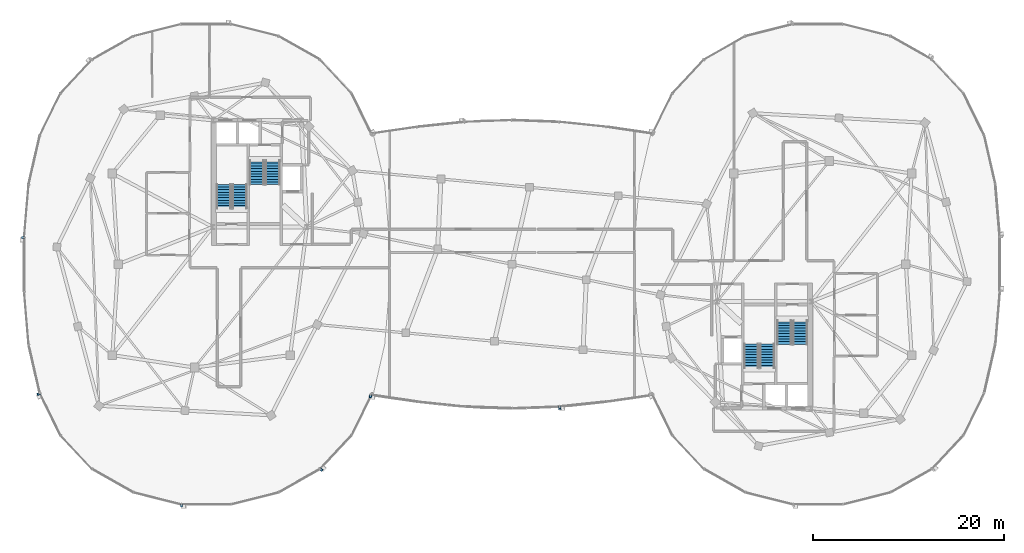
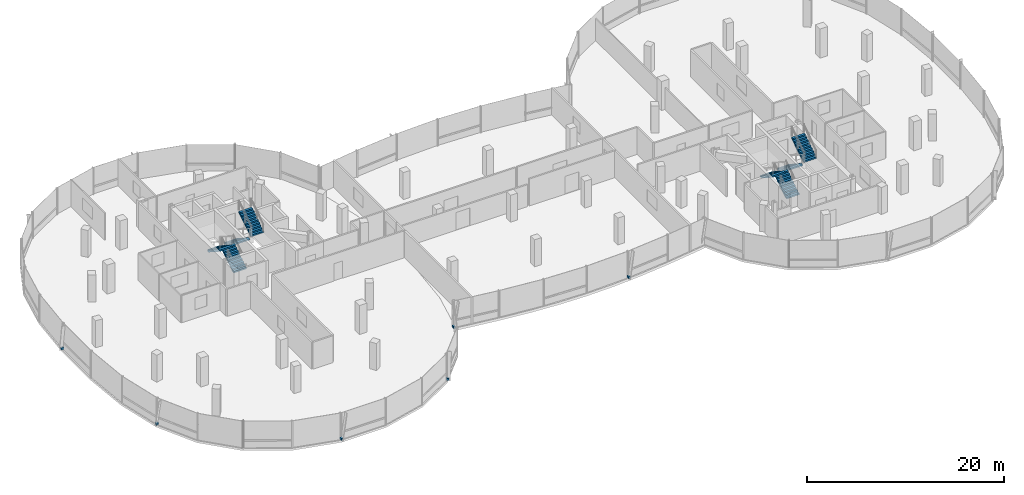
# One storey, part 17 of 25: 8 stair flights, 6 discrete accessories, 4 elements without a shape of their own.
"""IFC4 building model written with IfcOpenShell, lengths in metres."""

from ifc_helpers import new_model, si_unit, direction, frame, origin, origin_2d, place, context, subcontext, project, spatial, polyline, rectangle, outline, extrude, material, type_object, element, aggregate, save


model = new_model("IFC4")

# Units and contexts
model_context = context("Model", 3, precision=1e-05, world=origin(), true_north=direction((0.0, 1.0)))
body_context = subcontext(model_context, "Body", "Model", "MODEL_VIEW")
ifc_project = project(units=[si_unit("LENGTHUNIT", "METRE"), si_unit("AREAUNIT", "SQUARE_METRE"), si_unit("VOLUMEUNIT", "CUBIC_METRE"), si_unit("PLANEANGLEUNIT", "RADIAN"), si_unit("MASSUNIT", "GRAM", prefix="KILO"), si_unit("THERMODYNAMICTEMPERATUREUNIT", "KELVIN"), si_unit("POWERUNIT", "WATT")], contexts=[model_context])

# Site, building, storey
site_placement = place(None, origin())
site = spatial("IfcSite", under=ifc_project, at=site_placement, CompositionType="ELEMENT")
building_placement = place(site_placement, origin())
building = spatial("IfcBuilding", under=site, at=building_placement, Name="Cundina Bronze Exchange", CompositionType="ELEMENT")
storey_placement = place(building_placement, frame((0.0, 0.0, 272.0)))
storey = spatial("IfcBuildingStorey", under=building, at=storey_placement, Name="L72", CompositionType="ELEMENT", Elevation=272.0)

# Stair, stair flights
ifc_material_1 = material(Name="Concrete C40/50", Category="concrete")
stair_type = type_object("IfcStairType", Name="STR-OFF-360", PredefinedType="HALF_TURN_STAIR", material=ifc_material_1)
stair_1_placement = place(storey_placement, origin())
stair_1 = element("IfcStair", 1, at=stair_1_placement, inside=storey, type_object=stair_type, Name="L72 Smokeproof Exit Stair W1", PredefinedType="HALF_TURN_STAIR")
stair_flight_type = type_object("IfcStairFlightType", Name="FLG-OFF-180", PredefinedType="STRAIGHT", material=ifc_material_1)
stair_flight_1_placement = place(storey_placement, frame((-28.489990234375, 5.85009765625, 0.0), z_axis=(0.0, 0.0, 1.0), x_axis=(0.0, 1.0, 0.0)))
stair_flight_1 = element("IfcStairFlight", 2, at=stair_flight_1_placement, type_object=stair_flight_type, Name="ST-W1 flight 1", NumberOfRisers=10, NumberOfTreads=9, PredefinedType="STRAIGHT", RiserHeight=0.18, TreadLength=0.28, context=body_context, shape_type="SweptSolid", body=[
    extrude(outline(polyline([(0.0, 0.0), (0.0, 0.179931640625), (0.280029296875, 0.179931640625), (0.280029296875, 0.360107421875), (0.56005859375, 0.360107421875), (0.56005859375, 0.5400390625), (0.840087890625, 0.5400390625), (0.840087890625, 0.719970703125), (1.1201171875, 0.719970703125), (1.1201171875, 0.89990234375), (1.39990234375, 0.89990234375), (1.39990234375, 1.080078125), (1.679931640625, 1.080078125), (1.679931640625, 1.260009765625), (1.9599609375, 1.260009765625), (1.9599609375, 1.43994140625), (2.239990234375, 1.43994140625), (2.239990234375, 1.6201171875), (2.52001953125, 1.6201171875), (2.52001953125, 1.800048828125), (2.52001953125, 1.44189453125), (0.277099609375, 0.0), (0.0, 0.0)])), frame((0.0, 0.75, 0.0), z_axis=(0.0, -1.0, 0.0), x_axis=(1.0, 0.0, 0.0)), (0.0, 0.0, 1.0), 1.5),
])
stair_flight_2_placement = place(storey_placement, frame((-30.14990234375, 8.3701171875, 1.800048828125), z_axis=(0.0, 0.0, 1.0), x_axis=(0.0, -1.0, 0.0)))
stair_flight_2 = element("IfcStairFlight", 3, at=stair_flight_2_placement, type_object=stair_flight_type, Name="ST-W1 flight 2", NumberOfRisers=10, NumberOfTreads=9, PredefinedType="STRAIGHT", RiserHeight=0.18, TreadLength=0.28, context=body_context, shape_type="SweptSolid", body=[
    extrude(outline(polyline([(0.0, 0.0), (0.0, 0.179931640625), (0.280029296875, 0.179931640625), (0.280029296875, 0.360107421875), (0.56005859375, 0.360107421875), (0.56005859375, 0.5400390625), (0.840087890625, 0.5400390625), (0.840087890625, 0.719970703125), (1.1201171875, 0.719970703125), (1.1201171875, 0.89990234375), (1.39990234375, 0.89990234375), (1.39990234375, 1.080078125), (1.679931640625, 1.080078125), (1.679931640625, 1.260009765625), (1.9599609375, 1.260009765625), (1.9599609375, 1.43994140625), (2.239990234375, 1.43994140625), (2.239990234375, 1.6201171875), (2.52001953125, 1.6201171875), (2.52001953125, 1.800048828125), (2.52001953125, 1.44189453125), (0.277099609375, 0.0), (0.0, 0.0)])), frame((0.0, 0.75, 0.0), z_axis=(0.0, -1.0, 0.0), x_axis=(1.0, 0.0, 0.0)), (0.0, 0.0, 1.0), 1.5),
])
aggregate(stair_1, [stair_flight_1, stair_flight_2])

stair_2_placement = place(storey_placement, origin())
stair_2 = element("IfcStair", 4, at=stair_2_placement, inside=storey, type_object=stair_type, Name="L72 Smokeproof Exit Stair W2", PredefinedType="HALF_TURN_STAIR")
stair_flight_3_placement = place(storey_placement, frame((-26.68994140625, 10.85009765625, 0.0), z_axis=(0.0, 0.0, 1.0), x_axis=(0.0, -1.0, 0.0)))
stair_flight_3 = element("IfcStairFlight", 5, at=stair_flight_3_placement, type_object=stair_flight_type, Name="ST-W2 flight 1", NumberOfRisers=10, NumberOfTreads=9, PredefinedType="STRAIGHT", RiserHeight=0.18, TreadLength=0.28, context=body_context, shape_type="SweptSolid", body=[
    extrude(outline(polyline([(0.0, 0.0), (0.0, 0.179931640625), (0.280029296875, 0.179931640625), (0.280029296875, 0.360107421875), (0.56005859375, 0.360107421875), (0.56005859375, 0.5400390625), (0.840087890625, 0.5400390625), (0.840087890625, 0.719970703125), (1.1201171875, 0.719970703125), (1.1201171875, 0.89990234375), (1.39990234375, 0.89990234375), (1.39990234375, 1.080078125), (1.679931640625, 1.080078125), (1.679931640625, 1.260009765625), (1.9599609375, 1.260009765625), (1.9599609375, 1.43994140625), (2.239990234375, 1.43994140625), (2.239990234375, 1.6201171875), (2.52001953125, 1.6201171875), (2.52001953125, 1.800048828125), (2.52001953125, 1.44189453125), (0.277099609375, 0.0), (0.0, 0.0)])), frame((0.0, 0.75, 0.0), z_axis=(0.0, -1.0, 0.0), x_axis=(1.0, 0.0, 0.0)), (0.0, 0.0, 1.0), 1.5),
])
stair_flight_4_placement = place(storey_placement, frame((-25.030029296875, 8.330078125, 1.800048828125), z_axis=(0.0, 0.0, 1.0), x_axis=(0.0, 1.0, 0.0)))
stair_flight_4 = element("IfcStairFlight", 6, at=stair_flight_4_placement, type_object=stair_flight_type, Name="ST-W2 flight 2", NumberOfRisers=10, NumberOfTreads=9, PredefinedType="STRAIGHT", RiserHeight=0.18, TreadLength=0.28, context=body_context, shape_type="SweptSolid", body=[
    extrude(outline(polyline([(0.0, 0.0), (0.0, 0.179931640625), (0.280029296875, 0.179931640625), (0.280029296875, 0.360107421875), (0.56005859375, 0.360107421875), (0.56005859375, 0.5400390625), (0.840087890625, 0.5400390625), (0.840087890625, 0.719970703125), (1.1201171875, 0.719970703125), (1.1201171875, 0.89990234375), (1.39990234375, 0.89990234375), (1.39990234375, 1.080078125), (1.679931640625, 1.080078125), (1.679931640625, 1.260009765625), (1.9599609375, 1.260009765625), (1.9599609375, 1.43994140625), (2.239990234375, 1.43994140625), (2.239990234375, 1.6201171875), (2.52001953125, 1.6201171875), (2.52001953125, 1.800048828125), (2.52001953125, 1.44189453125), (0.277099609375, 0.0), (0.0, 0.0)])), frame((0.0, 0.75, 0.0), z_axis=(0.0, -1.0, 0.0), x_axis=(1.0, 0.0, 0.0)), (0.0, 0.0, 1.0), 1.5),
])
aggregate(stair_2, [stair_flight_3, stair_flight_4])

stair_3_placement = place(storey_placement, origin())
stair_3 = element("IfcStair", 7, at=stair_3_placement, inside=storey, type_object=stair_type, Name="L72 Smokeproof Exit Stair E1", PredefinedType="HALF_TURN_STAIR")
stair_flight_5_placement = place(storey_placement, frame((28.489990234375, -5.85009765625, 0.0), z_axis=(0.0, 0.0, 1.0), x_axis=(0.0, -1.0, 0.0)))
stair_flight_5 = element("IfcStairFlight", 8, at=stair_flight_5_placement, type_object=stair_flight_type, Name="ST-E1 flight 1", NumberOfRisers=10, NumberOfTreads=9, PredefinedType="STRAIGHT", RiserHeight=0.18, TreadLength=0.28, context=body_context, shape_type="SweptSolid", body=[
    extrude(outline(polyline([(0.0, 0.0), (0.0, 0.179931640625), (0.280029296875, 0.179931640625), (0.280029296875, 0.360107421875), (0.56005859375, 0.360107421875), (0.56005859375, 0.5400390625), (0.840087890625, 0.5400390625), (0.840087890625, 0.719970703125), (1.1201171875, 0.719970703125), (1.1201171875, 0.89990234375), (1.39990234375, 0.89990234375), (1.39990234375, 1.080078125), (1.679931640625, 1.080078125), (1.679931640625, 1.260009765625), (1.9599609375, 1.260009765625), (1.9599609375, 1.43994140625), (2.239990234375, 1.43994140625), (2.239990234375, 1.6201171875), (2.52001953125, 1.6201171875), (2.52001953125, 1.800048828125), (2.52001953125, 1.44189453125), (0.277099609375, 0.0), (0.0, 0.0)])), frame((0.0, 0.75, 0.0), z_axis=(0.0, -1.0, 0.0), x_axis=(1.0, 0.0, 0.0)), (0.0, 0.0, 1.0), 1.5),
])
stair_flight_6_placement = place(storey_placement, frame((30.14990234375, -8.3701171875, 1.800048828125), z_axis=(0.0, 0.0, 1.0), x_axis=(0.0, 1.0, 0.0)))
stair_flight_6 = element("IfcStairFlight", 9, at=stair_flight_6_placement, type_object=stair_flight_type, Name="ST-E1 flight 2", NumberOfRisers=10, NumberOfTreads=9, PredefinedType="STRAIGHT", RiserHeight=0.18, TreadLength=0.28, context=body_context, shape_type="SweptSolid", body=[
    extrude(outline(polyline([(0.0, 0.0), (0.0, 0.179931640625), (0.280029296875, 0.179931640625), (0.280029296875, 0.360107421875), (0.56005859375, 0.360107421875), (0.56005859375, 0.5400390625), (0.840087890625, 0.5400390625), (0.840087890625, 0.719970703125), (1.1201171875, 0.719970703125), (1.1201171875, 0.89990234375), (1.39990234375, 0.89990234375), (1.39990234375, 1.080078125), (1.679931640625, 1.080078125), (1.679931640625, 1.260009765625), (1.9599609375, 1.260009765625), (1.9599609375, 1.43994140625), (2.239990234375, 1.43994140625), (2.239990234375, 1.6201171875), (2.52001953125, 1.6201171875), (2.52001953125, 1.800048828125), (2.52001953125, 1.44189453125), (0.277099609375, 0.0), (0.0, 0.0)])), frame((0.0, 0.75, 0.0), z_axis=(0.0, -1.0, 0.0), x_axis=(1.0, 0.0, 0.0)), (0.0, 0.0, 1.0), 1.5),
])
aggregate(stair_3, [stair_flight_5, stair_flight_6])

stair_4_placement = place(storey_placement, origin())
stair_4 = element("IfcStair", 10, at=stair_4_placement, inside=storey, type_object=stair_type, Name="L72 Smokeproof Exit Stair E2", PredefinedType="HALF_TURN_STAIR")
stair_flight_7_placement = place(storey_placement, frame((26.68994140625, -10.85009765625, 0.0), z_axis=(0.0, 0.0, 1.0), x_axis=(0.0, 1.0, 0.0)))
stair_flight_7 = element("IfcStairFlight", 11, at=stair_flight_7_placement, type_object=stair_flight_type, Name="ST-E2 flight 1", NumberOfRisers=10, NumberOfTreads=9, PredefinedType="STRAIGHT", RiserHeight=0.18, TreadLength=0.28, context=body_context, shape_type="SweptSolid", body=[
    extrude(outline(polyline([(0.0, 0.0), (0.0, 0.179931640625), (0.280029296875, 0.179931640625), (0.280029296875, 0.360107421875), (0.56005859375, 0.360107421875), (0.56005859375, 0.5400390625), (0.840087890625, 0.5400390625), (0.840087890625, 0.719970703125), (1.1201171875, 0.719970703125), (1.1201171875, 0.89990234375), (1.39990234375, 0.89990234375), (1.39990234375, 1.080078125), (1.679931640625, 1.080078125), (1.679931640625, 1.260009765625), (1.9599609375, 1.260009765625), (1.9599609375, 1.43994140625), (2.239990234375, 1.43994140625), (2.239990234375, 1.6201171875), (2.52001953125, 1.6201171875), (2.52001953125, 1.800048828125), (2.52001953125, 1.44189453125), (0.277099609375, 0.0), (0.0, 0.0)])), frame((0.0, 0.75, 0.0), z_axis=(0.0, -1.0, 0.0), x_axis=(1.0, 0.0, 0.0)), (0.0, 0.0, 1.0), 1.5),
])
stair_flight_8_placement = place(storey_placement, frame((25.030029296875, -8.330078125, 1.800048828125), z_axis=(0.0, 0.0, 1.0), x_axis=(0.0, -1.0, 0.0)))
stair_flight_8 = element("IfcStairFlight", 12, at=stair_flight_8_placement, type_object=stair_flight_type, Name="ST-E2 flight 2", NumberOfRisers=10, NumberOfTreads=9, PredefinedType="STRAIGHT", RiserHeight=0.18, TreadLength=0.28, context=body_context, shape_type="SweptSolid", body=[
    extrude(outline(polyline([(0.0, 0.0), (0.0, 0.179931640625), (0.280029296875, 0.179931640625), (0.280029296875, 0.360107421875), (0.56005859375, 0.360107421875), (0.56005859375, 0.5400390625), (0.840087890625, 0.5400390625), (0.840087890625, 0.719970703125), (1.1201171875, 0.719970703125), (1.1201171875, 0.89990234375), (1.39990234375, 0.89990234375), (1.39990234375, 1.080078125), (1.679931640625, 1.080078125), (1.679931640625, 1.260009765625), (1.9599609375, 1.260009765625), (1.9599609375, 1.43994140625), (2.239990234375, 1.43994140625), (2.239990234375, 1.6201171875), (2.52001953125, 1.6201171875), (2.52001953125, 1.800048828125), (2.52001953125, 1.44189453125), (0.277099609375, 0.0), (0.0, 0.0)])), frame((0.0, 0.75, 0.0), z_axis=(0.0, -1.0, 0.0), x_axis=(1.0, 0.0, 0.0)), (0.0, 0.0, 1.0), 1.5),
])
aggregate(stair_4, [stair_flight_7, stair_flight_8])

# Discrete accessories
ifc_material_2 = material(Name="Anodised Bronze Aluminium 6063-T6", Category="aluminium")
discrete_accessory_type = type_object("IfcDiscreteAccessoryType", Name="ACC-BRK-FIN", PredefinedType="BRACKET", material=ifc_material_2)
for number, where, z_axis, x_axis, name in (
    (13, (-51.158935546875, 2.79150390625, 0.10009765625), (0.0, 0.0, 1.0), (0.0, -1.0, 0.0), "L72 Fin Support Bracket 5"),
    (14, (-49.494873046875, -13.565673828125, 0.10009765625), (0.0, 0.0, 1.0), (0.440503330345, -0.897750976582, 0.0), "L72 Fin Support Bracket 1"),
    (15, (-34.576416015625, -25.25, 0.10009765625), (0.0, 0.0, 1.0), (1.0, 0.0, 0.0), "L72 Fin Support Bracket 5"),
    (16, (-19.957763671875, -21.4755859375, 0.10009765625), (0.0, 0.0, 1.0), (0.684343512797, 0.72915976061, 0.0), "L72 Fin Support Bracket 1"),
    (17, (-14.799560546875, -13.79736328125, 0.10009765625), (0.0, 0.0, 1.0), (0.989528308409, -0.144338930496, 0.0), "L72 Fin Support Bracket 1"),
    (18, (5.003173828125, -15.01953125, 0.10009765625), (0.0, 0.0, 1.0), (0.994672274174, 0.103087666525, 0.0), "L72 Fin Support Bracket 5"),
):
    element("IfcDiscreteAccessory", number, at=place(storey_placement, frame(where, z_axis=z_axis, x_axis=x_axis)), inside=storey, type_object=discrete_accessory_type, Name=name, PredefinedType="BRACKET", context=body_context, shape_type="SweptSolid", body=[
        extrude(rectangle(XDim=0.219970703125, YDim=0.320068359375, at=origin_2d()), origin(), (0.0, 0.0, 1.0), 0.239990234375),
    ])

save(model, "model.ifc")
